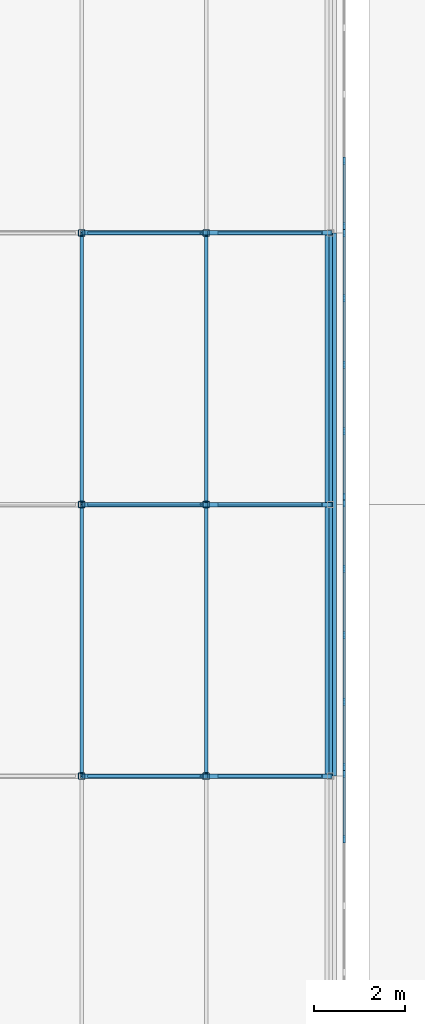
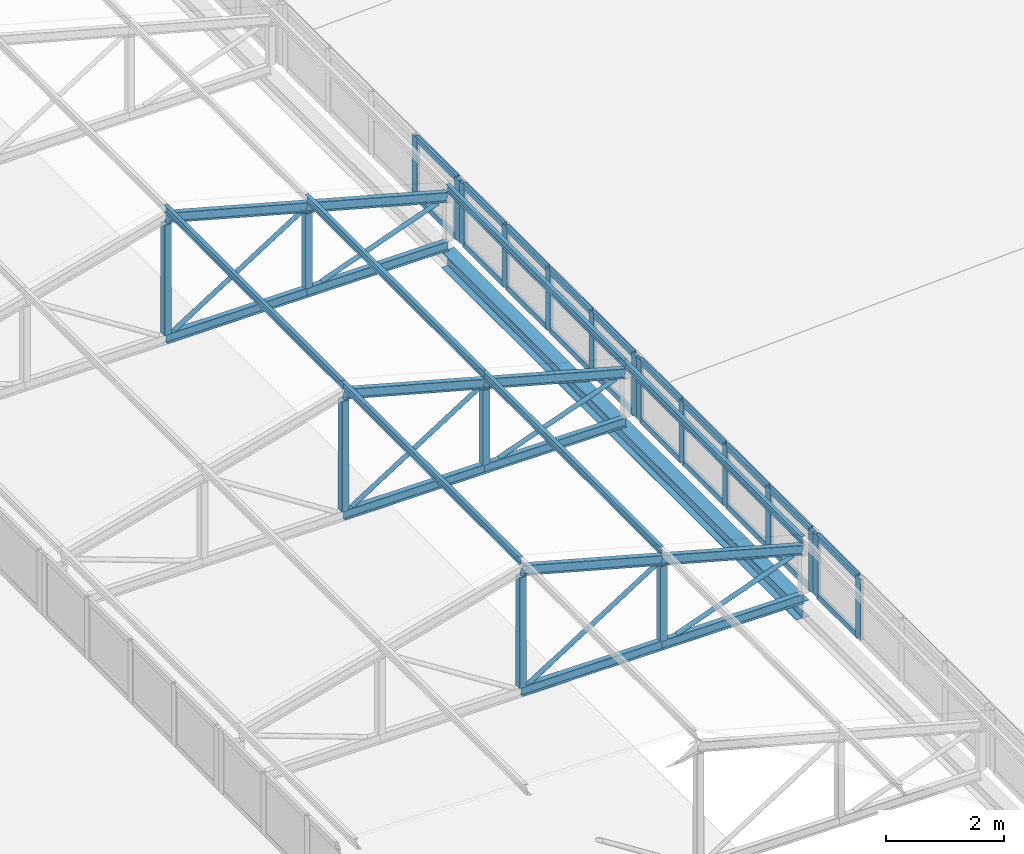
# One storey, part 25 of 94: 64 members, 1 beam, 4 elements without a shape of their own.
"""IFC4 building model written with IfcOpenShell, lengths in metres."""

from ifc_helpers import new_model, si_unit, direction, frame, origin, origin_2d, place, context, subcontext, project, spatial, rectangle, hollow_rectangle, hollow_circle, i_section, extrude, material, layer, layer_set, material_profile, profile_set, type_object, element, aggregate, save


model = new_model("IFC4")

# Units and contexts
model_context = context("Model", 3, precision=1e-05, world=origin(), true_north=direction((0.0, 1.0)))
body_context = subcontext(model_context, "Body", "Model", "MODEL_VIEW")
ifc_project = project(units=[si_unit("LENGTHUNIT", "METRE"), si_unit("AREAUNIT", "SQUARE_METRE"), si_unit("VOLUMEUNIT", "CUBIC_METRE"), si_unit("PLANEANGLEUNIT", "RADIAN"), si_unit("MASSUNIT", "GRAM", prefix="KILO")], contexts=[model_context])

# Site, building, storey
site_placement = place(None, origin())
site = spatial("IfcSite", under=ifc_project, at=site_placement, CompositionType="ELEMENT")
building_placement = place(site_placement, origin())
building = spatial("IfcBuilding", under=site, at=building_placement, Name="Lilac Gate Convention Centre", CompositionType="ELEMENT")
storey_placement = place(building_placement, frame((0.0, 0.0, 21.0)))
storey = spatial("IfcBuildingStorey", under=building, at=storey_placement, Name="L04", CompositionType="ELEMENT", Elevation=21.0)

# Curtain wall, members
ifc_material_1 = material(Name="Aluminium framed double glazing", Category="aluminium")
ifc_layer = layer(ifc_material_1, 0.199951171875)
ifc_layer_set = layer_set([ifc_layer], Name="Aluminium framed double glazing")
curtain_wall_type = type_object("IfcCurtainWallType", Name="Unitised curtain wall 1500", PredefinedType="NOTDEFINED", material=ifc_layer_set)
curtain_wall_1_placement = place(storey_placement, origin())
curtain_wall_1 = element("IfcCurtainWall", 1, at=curtain_wall_1_placement, inside=storey, type_object=curtain_wall_type, Name="Lantern clerestory E 11", PredefinedType="NOTDEFINED")
ifc_material_2 = material(Name="Aluminium alloy 6063", Category="aluminium")
ifc_material_profile_1 = material_profile(ifc_material_2, rectangle(XDim=0.06005859375, YDim=0.159912109375, at=origin_2d()), Name="Curtain wall mullion 60 x 160")
ifc_profile_set_1 = profile_set([ifc_material_profile_1], Name="Aluminium alloy 6063")
member_type_1 = type_object("IfcMemberType", Name="Curtain wall mullion 60 x 160", PredefinedType="MULLION", material=ifc_profile_set_1)
member_1_placement = place(storey_placement, frame((28.89990234375, 94.606201171875, 0.0), z_axis=(0.0, 0.0, 1.0), x_axis=(-1.0, 0.0, 0.0)))
member_1 = element("IfcMember", 2, at=member_1_placement, type_object=member_type_1, Name="CW mullion 4", PredefinedType="MULLION", context=body_context, shape_type="SweptSolid", body=[
    extrude(rectangle(XDim=0.06005859375, YDim=0.159912109375, at=origin_2d()), origin(), (0.0, 0.0, 1.0), 1.272216796875),
])
member_2_placement = place(storey_placement, frame((28.89990234375, 96.044921875, 0.0), z_axis=(0.0, 0.0, 1.0), x_axis=(-1.0, 0.0, 0.0)))
member_2 = element("IfcMember", 3, at=member_2_placement, type_object=member_type_1, Name="CW mullion 5", PredefinedType="MULLION", context=body_context, shape_type="SweptSolid", body=[
    extrude(rectangle(XDim=0.06005859375, YDim=0.159912109375, at=origin_2d()), origin(), (0.0, 0.0, 1.0), 1.272216796875),
])

curtain_wall_2_placement = place(storey_placement, origin())
curtain_wall_2 = element("IfcCurtainWall", 4, at=curtain_wall_2_placement, inside=storey, type_object=curtain_wall_type, Name="Lantern clerestory E 12", PredefinedType="NOTDEFINED")
member_3_placement = place(storey_placement, frame((28.89990234375, 96.205078125, 0.0), z_axis=(0.0, 0.0, 1.0), x_axis=(-1.0, 0.0, 0.0)))
member_3 = element("IfcMember", 5, at=member_3_placement, type_object=member_type_1, Name="CW mullion 1", PredefinedType="MULLION", context=body_context, shape_type="SweptSolid", body=[
    extrude(rectangle(XDim=0.06005859375, YDim=0.159912109375, at=origin_2d()), origin(), (0.0, 0.0, 1.0), 1.272216796875),
])
member_4_placement = place(storey_placement, frame((28.89990234375, 97.643798828125, 0.0), z_axis=(0.0, 0.0, 1.0), x_axis=(-1.0, 0.0, 0.0)))
member_4 = element("IfcMember", 6, at=member_4_placement, type_object=member_type_1, Name="CW mullion 2", PredefinedType="MULLION", context=body_context, shape_type="SweptSolid", body=[
    extrude(rectangle(XDim=0.06005859375, YDim=0.159912109375, at=origin_2d()), origin(), (0.0, 0.0, 1.0), 1.272216796875),
])
member_5_placement = place(storey_placement, frame((28.89990234375, 99.112548828125, 0.0), z_axis=(0.0, 0.0, 1.0), x_axis=(-1.0, 0.0, 0.0)))
member_5 = element("IfcMember", 7, at=member_5_placement, type_object=member_type_1, Name="CW mullion 3", PredefinedType="MULLION", context=body_context, shape_type="SweptSolid", body=[
    extrude(rectangle(XDim=0.06005859375, YDim=0.159912109375, at=origin_2d()), origin(), (0.0, 0.0, 1.0), 1.272216796875),
])
member_6_placement = place(storey_placement, frame((28.89990234375, 100.581298828125, 0.0), z_axis=(0.0, 0.0, 1.0), x_axis=(-1.0, 0.0, 0.0)))
member_6 = element("IfcMember", 8, at=member_6_placement, type_object=member_type_1, Name="CW mullion 4", PredefinedType="MULLION", context=body_context, shape_type="SweptSolid", body=[
    extrude(rectangle(XDim=0.06005859375, YDim=0.159912109375, at=origin_2d()), origin(), (0.0, 0.0, 1.0), 1.272216796875),
])
member_7_placement = place(storey_placement, frame((28.89990234375, 102.02001953125, 0.0), z_axis=(0.0, 0.0, 1.0), x_axis=(-1.0, 0.0, 0.0)))
member_7 = element("IfcMember", 9, at=member_7_placement, type_object=member_type_1, Name="CW mullion 5", PredefinedType="MULLION", context=body_context, shape_type="SweptSolid", body=[
    extrude(rectangle(XDim=0.06005859375, YDim=0.159912109375, at=origin_2d()), origin(), (0.0, 0.0, 1.0), 1.272216796875),
])

curtain_wall_3_placement = place(storey_placement, origin())
curtain_wall_3 = element("IfcCurtainWall", 10, at=curtain_wall_3_placement, inside=storey, type_object=curtain_wall_type, Name="Lantern clerestory E 13", PredefinedType="NOTDEFINED")
member_8_placement = place(storey_placement, frame((28.89990234375, 102.179931640625, 0.0), z_axis=(0.0, 0.0, 1.0), x_axis=(-1.0, 0.0, 0.0)))
member_8 = element("IfcMember", 11, at=member_8_placement, type_object=member_type_1, Name="CW mullion 1", PredefinedType="MULLION", context=body_context, shape_type="SweptSolid", body=[
    extrude(rectangle(XDim=0.06005859375, YDim=0.159912109375, at=origin_2d()), origin(), (0.0, 0.0, 1.0), 1.272216796875),
])
member_9_placement = place(storey_placement, frame((28.89990234375, 103.61865234375, 0.0), z_axis=(0.0, 0.0, 1.0), x_axis=(-1.0, 0.0, 0.0)))
member_9 = element("IfcMember", 12, at=member_9_placement, type_object=member_type_1, Name="CW mullion 2", PredefinedType="MULLION", context=body_context, shape_type="SweptSolid", body=[
    extrude(rectangle(XDim=0.06005859375, YDim=0.159912109375, at=origin_2d()), origin(), (0.0, 0.0, 1.0), 1.272216796875),
])
member_10_placement = place(storey_placement, frame((28.89990234375, 105.08740234375, 0.0), z_axis=(0.0, 0.0, 1.0), x_axis=(-1.0, 0.0, 0.0)))
member_10 = element("IfcMember", 13, at=member_10_placement, type_object=member_type_1, Name="CW mullion 3", PredefinedType="MULLION", context=body_context, shape_type="SweptSolid", body=[
    extrude(rectangle(XDim=0.06005859375, YDim=0.159912109375, at=origin_2d()), origin(), (0.0, 0.0, 1.0), 1.272216796875),
])
member_11_placement = place(storey_placement, frame((28.89990234375, 106.55615234375, 0.0), z_axis=(0.0, 0.0, 1.0), x_axis=(-1.0, 0.0, 0.0)))
member_11 = element("IfcMember", 14, at=member_11_placement, type_object=member_type_1, Name="CW mullion 4", PredefinedType="MULLION", context=body_context, shape_type="SweptSolid", body=[
    extrude(rectangle(XDim=0.06005859375, YDim=0.159912109375, at=origin_2d()), origin(), (0.0, 0.0, 1.0), 1.272216796875),
])
member_12_placement = place(storey_placement, frame((28.89990234375, 107.994873046875, 0.0), z_axis=(0.0, 0.0, 1.0), x_axis=(-1.0, 0.0, 0.0)))
member_12 = element("IfcMember", 15, at=member_12_placement, type_object=member_type_1, Name="CW mullion 5", PredefinedType="MULLION", context=body_context, shape_type="SweptSolid", body=[
    extrude(rectangle(XDim=0.06005859375, YDim=0.159912109375, at=origin_2d()), origin(), (0.0, 0.0, 1.0), 1.272216796875),
])

curtain_wall_4_placement = place(storey_placement, origin())
curtain_wall_4 = element("IfcCurtainWall", 16, at=curtain_wall_4_placement, inside=storey, type_object=curtain_wall_type, Name="Lantern clerestory E 14", PredefinedType="NOTDEFINED")
member_13_placement = place(storey_placement, frame((28.89990234375, 108.155029296875, 0.0), z_axis=(0.0, 0.0, 1.0), x_axis=(-1.0, 0.0, 0.0)))
member_13 = element("IfcMember", 17, at=member_13_placement, type_object=member_type_1, Name="CW mullion 1", PredefinedType="MULLION", context=body_context, shape_type="SweptSolid", body=[
    extrude(rectangle(XDim=0.06005859375, YDim=0.159912109375, at=origin_2d()), origin(), (0.0, 0.0, 1.0), 1.272216796875),
])
member_14_placement = place(storey_placement, frame((28.89990234375, 109.59375, 0.0), z_axis=(0.0, 0.0, 1.0), x_axis=(-1.0, 0.0, 0.0)))
member_14 = element("IfcMember", 18, at=member_14_placement, type_object=member_type_1, Name="CW mullion 2", PredefinedType="MULLION", context=body_context, shape_type="SweptSolid", body=[
    extrude(rectangle(XDim=0.06005859375, YDim=0.159912109375, at=origin_2d()), origin(), (0.0, 0.0, 1.0), 1.272216796875),
])

# Member
ifc_material_profile_2 = material_profile(ifc_material_2, rectangle(XDim=0.06005859375, YDim=0.1201171875, at=origin_2d()), Name="Curtain wall transom 60 x 120")
ifc_profile_set_2 = profile_set([ifc_material_profile_2], Name="Aluminium alloy 6063")
member_type_2 = type_object("IfcMemberType", Name="Curtain wall transom 60 x 120", PredefinedType="USERDEFINED", material=ifc_profile_set_2)
member_15_placement = place(storey_placement, frame((28.89990234375, 94.63623046875, 0.030029296875), z_axis=(0.0, 1.0, 0.0), x_axis=(-1.0, 0.0, 0.0)))
member_15 = element("IfcMember", 19, at=member_15_placement, type_object=member_type_2, Name="CW transom 4.1", ObjectType="TRANSOM", PredefinedType="USERDEFINED", context=body_context, shape_type="SweptSolid", body=[
    extrude(rectangle(XDim=0.06005859375, YDim=0.1201171875, at=origin_2d()), origin(), (0.0, 0.0, 1.0), 1.378662109375),
])

member_16_placement = place(storey_placement, frame((28.89990234375, 94.63623046875, 1.2421875), z_axis=(0.0, 1.0, 0.0), x_axis=(-1.0, 0.0, 0.0)))
member_16 = element("IfcMember", 20, at=member_16_placement, type_object=member_type_2, Name="CW transom 4.2", ObjectType="TRANSOM", PredefinedType="USERDEFINED", context=body_context, shape_type="SweptSolid", body=[
    extrude(rectangle(XDim=0.06005859375, YDim=0.1201171875, at=origin_2d()), origin(), (0.0, 0.0, 1.0), 1.378662109375),
])

aggregate(curtain_wall_1, [member_1, member_2, member_15, member_16])

member_17_placement = place(storey_placement, frame((28.89990234375, 96.235107421875, 0.030029296875), z_axis=(0.0, 1.0, 0.0), x_axis=(-1.0, 0.0, 0.0)))
member_17 = element("IfcMember", 21, at=member_17_placement, type_object=member_type_2, Name="CW transom 1.1", ObjectType="TRANSOM", PredefinedType="USERDEFINED", context=body_context, shape_type="SweptSolid", body=[
    extrude(rectangle(XDim=0.06005859375, YDim=0.1201171875, at=origin_2d()), origin(), (0.0, 0.0, 1.0), 1.378662109375),
])

member_18_placement = place(storey_placement, frame((28.89990234375, 96.235107421875, 1.2421875), z_axis=(0.0, 1.0, 0.0), x_axis=(-1.0, 0.0, 0.0)))
member_18 = element("IfcMember", 22, at=member_18_placement, type_object=member_type_2, Name="CW transom 1.2", ObjectType="TRANSOM", PredefinedType="USERDEFINED", context=body_context, shape_type="SweptSolid", body=[
    extrude(rectangle(XDim=0.06005859375, YDim=0.1201171875, at=origin_2d()), origin(), (0.0, 0.0, 1.0), 1.378662109375),
])

member_19_placement = place(storey_placement, frame((28.89990234375, 97.673828125, 0.030029296875), z_axis=(0.0, 1.0, 0.0), x_axis=(-1.0, 0.0, 0.0)))
member_19 = element("IfcMember", 23, at=member_19_placement, type_object=member_type_2, Name="CW transom 2.1", ObjectType="TRANSOM", PredefinedType="USERDEFINED", context=body_context, shape_type="SweptSolid", body=[
    extrude(rectangle(XDim=0.06005859375, YDim=0.1201171875, at=origin_2d()), origin(), (0.0, 0.0, 1.0), 1.40869140625),
])

member_20_placement = place(storey_placement, frame((28.89990234375, 97.673828125, 1.2421875), z_axis=(0.0, 1.0, 0.0), x_axis=(-1.0, 0.0, 0.0)))
member_20 = element("IfcMember", 24, at=member_20_placement, type_object=member_type_2, Name="CW transom 2.2", ObjectType="TRANSOM", PredefinedType="USERDEFINED", context=body_context, shape_type="SweptSolid", body=[
    extrude(rectangle(XDim=0.06005859375, YDim=0.1201171875, at=origin_2d()), origin(), (0.0, 0.0, 1.0), 1.40869140625),
])

member_21_placement = place(storey_placement, frame((28.89990234375, 99.142578125, 0.030029296875), z_axis=(0.0, 1.0, 0.0), x_axis=(-1.0, 0.0, 0.0)))
member_21 = element("IfcMember", 25, at=member_21_placement, type_object=member_type_2, Name="CW transom 3.1", ObjectType="TRANSOM", PredefinedType="USERDEFINED", context=body_context, shape_type="SweptSolid", body=[
    extrude(rectangle(XDim=0.06005859375, YDim=0.1201171875, at=origin_2d()), origin(), (0.0, 0.0, 1.0), 1.40869140625),
])

member_22_placement = place(storey_placement, frame((28.89990234375, 99.142578125, 1.2421875), z_axis=(0.0, 1.0, 0.0), x_axis=(-1.0, 0.0, 0.0)))
member_22 = element("IfcMember", 26, at=member_22_placement, type_object=member_type_2, Name="CW transom 3.2", ObjectType="TRANSOM", PredefinedType="USERDEFINED", context=body_context, shape_type="SweptSolid", body=[
    extrude(rectangle(XDim=0.06005859375, YDim=0.1201171875, at=origin_2d()), origin(), (0.0, 0.0, 1.0), 1.40869140625),
])

member_23_placement = place(storey_placement, frame((28.89990234375, 100.611328125, 0.030029296875), z_axis=(0.0, 1.0, 0.0), x_axis=(-1.0, 0.0, 0.0)))
member_23 = element("IfcMember", 27, at=member_23_placement, type_object=member_type_2, Name="CW transom 4.1", ObjectType="TRANSOM", PredefinedType="USERDEFINED", context=body_context, shape_type="SweptSolid", body=[
    extrude(rectangle(XDim=0.06005859375, YDim=0.1201171875, at=origin_2d()), origin(), (0.0, 0.0, 1.0), 1.378662109375),
])

member_24_placement = place(storey_placement, frame((28.89990234375, 100.611328125, 1.2421875), z_axis=(0.0, 1.0, 0.0), x_axis=(-1.0, 0.0, 0.0)))
member_24 = element("IfcMember", 28, at=member_24_placement, type_object=member_type_2, Name="CW transom 4.2", ObjectType="TRANSOM", PredefinedType="USERDEFINED", context=body_context, shape_type="SweptSolid", body=[
    extrude(rectangle(XDim=0.06005859375, YDim=0.1201171875, at=origin_2d()), origin(), (0.0, 0.0, 1.0), 1.378662109375),
])

aggregate(curtain_wall_2, [member_3, member_4, member_5, member_6, member_7, member_17, member_18, member_19, member_20, member_21, member_22, member_23, member_24])

member_25_placement = place(storey_placement, frame((28.89990234375, 102.2099609375, 0.030029296875), z_axis=(0.0, 1.0, 0.0), x_axis=(-1.0, 0.0, 0.0)))
member_25 = element("IfcMember", 29, at=member_25_placement, type_object=member_type_2, Name="CW transom 1.1", ObjectType="TRANSOM", PredefinedType="USERDEFINED", context=body_context, shape_type="SweptSolid", body=[
    extrude(rectangle(XDim=0.06005859375, YDim=0.1201171875, at=origin_2d()), origin(), (0.0, 0.0, 1.0), 1.378662109375),
])

member_26_placement = place(storey_placement, frame((28.89990234375, 102.2099609375, 1.2421875), z_axis=(0.0, 1.0, 0.0), x_axis=(-1.0, 0.0, 0.0)))
member_26 = element("IfcMember", 30, at=member_26_placement, type_object=member_type_2, Name="CW transom 1.2", ObjectType="TRANSOM", PredefinedType="USERDEFINED", context=body_context, shape_type="SweptSolid", body=[
    extrude(rectangle(XDim=0.06005859375, YDim=0.1201171875, at=origin_2d()), origin(), (0.0, 0.0, 1.0), 1.378662109375),
])

member_27_placement = place(storey_placement, frame((28.89990234375, 103.648681640625, 0.030029296875), z_axis=(0.0, 1.0, 0.0), x_axis=(-1.0, 0.0, 0.0)))
member_27 = element("IfcMember", 31, at=member_27_placement, type_object=member_type_2, Name="CW transom 2.1", ObjectType="TRANSOM", PredefinedType="USERDEFINED", context=body_context, shape_type="SweptSolid", body=[
    extrude(rectangle(XDim=0.06005859375, YDim=0.1201171875, at=origin_2d()), origin(), (0.0, 0.0, 1.0), 1.40869140625),
])

member_28_placement = place(storey_placement, frame((28.89990234375, 103.648681640625, 1.2421875), z_axis=(0.0, 1.0, 0.0), x_axis=(-1.0, 0.0, 0.0)))
member_28 = element("IfcMember", 32, at=member_28_placement, type_object=member_type_2, Name="CW transom 2.2", ObjectType="TRANSOM", PredefinedType="USERDEFINED", context=body_context, shape_type="SweptSolid", body=[
    extrude(rectangle(XDim=0.06005859375, YDim=0.1201171875, at=origin_2d()), origin(), (0.0, 0.0, 1.0), 1.40869140625),
])

member_29_placement = place(storey_placement, frame((28.89990234375, 105.117431640625, 0.030029296875), z_axis=(0.0, 1.0, 0.0), x_axis=(-1.0, 0.0, 0.0)))
member_29 = element("IfcMember", 33, at=member_29_placement, type_object=member_type_2, Name="CW transom 3.1", ObjectType="TRANSOM", PredefinedType="USERDEFINED", context=body_context, shape_type="SweptSolid", body=[
    extrude(rectangle(XDim=0.06005859375, YDim=0.1201171875, at=origin_2d()), origin(), (0.0, 0.0, 1.0), 1.40869140625),
])

member_30_placement = place(storey_placement, frame((28.89990234375, 105.117431640625, 1.2421875), z_axis=(0.0, 1.0, 0.0), x_axis=(-1.0, 0.0, 0.0)))
member_30 = element("IfcMember", 34, at=member_30_placement, type_object=member_type_2, Name="CW transom 3.2", ObjectType="TRANSOM", PredefinedType="USERDEFINED", context=body_context, shape_type="SweptSolid", body=[
    extrude(rectangle(XDim=0.06005859375, YDim=0.1201171875, at=origin_2d()), origin(), (0.0, 0.0, 1.0), 1.40869140625),
])

member_31_placement = place(storey_placement, frame((28.89990234375, 106.586181640625, 0.030029296875), z_axis=(0.0, 1.0, 0.0), x_axis=(-1.0, 0.0, 0.0)))
member_31 = element("IfcMember", 35, at=member_31_placement, type_object=member_type_2, Name="CW transom 4.1", ObjectType="TRANSOM", PredefinedType="USERDEFINED", context=body_context, shape_type="SweptSolid", body=[
    extrude(rectangle(XDim=0.06005859375, YDim=0.1201171875, at=origin_2d()), origin(), (0.0, 0.0, 1.0), 1.378662109375),
])

member_32_placement = place(storey_placement, frame((28.89990234375, 106.586181640625, 1.2421875), z_axis=(0.0, 1.0, 0.0), x_axis=(-1.0, 0.0, 0.0)))
member_32 = element("IfcMember", 36, at=member_32_placement, type_object=member_type_2, Name="CW transom 4.2", ObjectType="TRANSOM", PredefinedType="USERDEFINED", context=body_context, shape_type="SweptSolid", body=[
    extrude(rectangle(XDim=0.06005859375, YDim=0.1201171875, at=origin_2d()), origin(), (0.0, 0.0, 1.0), 1.378662109375),
])

aggregate(curtain_wall_3, [member_8, member_9, member_10, member_11, member_12, member_25, member_26, member_27, member_28, member_29, member_30, member_31, member_32])

member_33_placement = place(storey_placement, frame((28.89990234375, 108.18505859375, 0.030029296875), z_axis=(0.0, 1.0, 0.0), x_axis=(-1.0, 0.0, 0.0)))
member_33 = element("IfcMember", 37, at=member_33_placement, type_object=member_type_2, Name="CW transom 1.1", ObjectType="TRANSOM", PredefinedType="USERDEFINED", context=body_context, shape_type="SweptSolid", body=[
    extrude(rectangle(XDim=0.06005859375, YDim=0.1201171875, at=origin_2d()), origin(), (0.0, 0.0, 1.0), 1.378662109375),
])

member_34_placement = place(storey_placement, frame((28.89990234375, 108.18505859375, 1.2421875), z_axis=(0.0, 1.0, 0.0), x_axis=(-1.0, 0.0, 0.0)))
member_34 = element("IfcMember", 38, at=member_34_placement, type_object=member_type_2, Name="CW transom 1.2", ObjectType="TRANSOM", PredefinedType="USERDEFINED", context=body_context, shape_type="SweptSolid", body=[
    extrude(rectangle(XDim=0.06005859375, YDim=0.1201171875, at=origin_2d()), origin(), (0.0, 0.0, 1.0), 1.378662109375),
])

aggregate(curtain_wall_4, [member_13, member_14, member_33, member_34])

# Members
ifc_material_3 = material(Name="Steel Q355B", Category="steel")
ifc_material_profile_3 = material_profile(ifc_material_3, i_section(OverallWidth=0.10009765625, OverallDepth=0.199951171875, WebThickness=0.005615234375, FlangeThickness=0.008056640625, FilletRadius=0.008056640625, at=origin_2d()), Name="HN200x100x5.5x8")
ifc_profile_set_3 = profile_set([ifc_material_profile_3], Name="Steel Q355B")
member_type_3 = type_object("IfcMemberType", Name="Lantern bottom chord HN200x100x5.5x8", PredefinedType="CHORD", material=ifc_profile_set_3)
for number, where, z_axis, x_axis, name in (
    (39, (23.10009765625, 96.0, 0.10009765625), (1.0, 0.0, 0.0), (0.0, 1.0, 0.0), "LB1 lantern truss 12 bottom chord 3"),
    (40, (25.85009765625, 96.0, 0.10009765625), (1.0, 0.0, 0.0), (0.0, 1.0, 0.0), "LB1 lantern truss 12 bottom chord 4"),
    (41, (23.10009765625, 102.0, 0.10009765625), (1.0, 0.0, 0.0), (0.0, 1.0, 0.0), "LB1 lantern truss 13 bottom chord 3"),
    (42, (25.85009765625, 102.0, 0.10009765625), (1.0, 0.0, 0.0), (0.0, 1.0, 0.0), "LB1 lantern truss 13 bottom chord 4"),
    (43, (23.10009765625, 108.0, 0.10009765625), (1.0, 0.0, 0.0), (0.0, 1.0, 0.0), "LB1 lantern truss 14 bottom chord 3"),
    (44, (25.85009765625, 108.0, 0.10009765625), (1.0, 0.0, 0.0), (0.0, 1.0, 0.0), "LB1 lantern truss 14 bottom chord 4"),
):
    element("IfcMember", number, at=place(storey_placement, frame(where, z_axis=z_axis, x_axis=x_axis)), inside=storey, type_object=member_type_3, Name=name, PredefinedType="CHORD", context=body_context, shape_type="SweptSolid", body=[
        extrude(i_section(OverallWidth=0.10009765625, OverallDepth=0.199951171875, WebThickness=0.005615234375, FlangeThickness=0.008056640625, FilletRadius=0.008056640625, at=origin_2d()), origin(), (0.0, 0.0, 1.0), 2.75),
    ])
ifc_material_profile_4 = material_profile(ifc_material_3, hollow_circle(Radius=0.04443359375, WallThickness=0.0048828125, at=origin_2d()), Name="CHS88.9x5")
ifc_profile_set_4 = profile_set([ifc_material_profile_4], Name="Steel Q355B")
member_type_4 = type_object("IfcMemberType", Name="Lantern diagonal CHS88.9x5", PredefinedType="BRACE", material=ifc_profile_set_4)
member_35_placement = place(storey_placement, frame((25.74169921875, 96.0, 1.781005859375), z_axis=(-0.843671728148, 0.0, -0.536859399773), x_axis=(0.0, -1.0, 0.0)))
element("IfcMember", 45, at=member_35_placement, inside=storey, type_object=member_type_4, Name="LW1 lantern truss 12 diagonal 3", PredefinedType="BRACE", context=body_context, shape_type="SweptSolid", body=[
    extrude(hollow_circle(Radius=0.04443359375, WallThickness=0.0048828125, at=origin_2d()), origin(), (0.0, 0.0, 1.0), 2.945068359375),
])
member_36_placement = place(storey_placement, frame((28.410400390625, 96.0, 1.031005859375), z_axis=(-0.939793423488, 0.0, -0.341743063087), x_axis=(0.0, -1.0, 0.0)))
element("IfcMember", 46, at=member_36_placement, inside=storey, type_object=member_type_4, Name="LW1 lantern truss 12 diagonal 4", PredefinedType="BRACE", context=body_context, shape_type="SweptSolid", body=[
    extrude(hollow_circle(Radius=0.04443359375, WallThickness=0.0048828125, at=origin_2d()), origin(), (0.0, 0.0, 1.0), 2.431884765625),
])
member_37_placement = place(storey_placement, frame((25.74169921875, 102.0, 1.781005859375), z_axis=(-0.843671728148, 0.0, -0.536859399773), x_axis=(0.0, -1.0, 0.0)))
element("IfcMember", 47, at=member_37_placement, inside=storey, type_object=member_type_4, Name="LW1 lantern truss 13 diagonal 3", PredefinedType="BRACE", context=body_context, shape_type="SweptSolid", body=[
    extrude(hollow_circle(Radius=0.04443359375, WallThickness=0.0048828125, at=origin_2d()), origin(), (0.0, 0.0, 1.0), 2.945068359375),
])
member_38_placement = place(storey_placement, frame((28.410400390625, 102.0, 1.031005859375), z_axis=(-0.939793423488, 0.0, -0.341743063087), x_axis=(0.0, -1.0, 0.0)))
element("IfcMember", 48, at=member_38_placement, inside=storey, type_object=member_type_4, Name="LW1 lantern truss 13 diagonal 4", PredefinedType="BRACE", context=body_context, shape_type="SweptSolid", body=[
    extrude(hollow_circle(Radius=0.04443359375, WallThickness=0.0048828125, at=origin_2d()), origin(), (0.0, 0.0, 1.0), 2.431884765625),
])
member_39_placement = place(storey_placement, frame((25.74169921875, 108.0, 1.781005859375), z_axis=(-0.843671728148, 0.0, -0.536859399773), x_axis=(0.0, -1.0, 0.0)))
element("IfcMember", 49, at=member_39_placement, inside=storey, type_object=member_type_4, Name="LW1 lantern truss 14 diagonal 3", PredefinedType="BRACE", context=body_context, shape_type="SweptSolid", body=[
    extrude(hollow_circle(Radius=0.04443359375, WallThickness=0.0048828125, at=origin_2d()), origin(), (0.0, 0.0, 1.0), 2.945068359375),
])
member_40_placement = place(storey_placement, frame((28.410400390625, 108.0, 1.031005859375), z_axis=(-0.939793423488, 0.0, -0.341743063087), x_axis=(0.0, -1.0, 0.0)))
element("IfcMember", 50, at=member_40_placement, inside=storey, type_object=member_type_4, Name="LW1 lantern truss 14 diagonal 4", PredefinedType="BRACE", context=body_context, shape_type="SweptSolid", body=[
    extrude(hollow_circle(Radius=0.04443359375, WallThickness=0.0048828125, at=origin_2d()), origin(), (0.0, 0.0, 1.0), 2.431884765625),
])
ifc_material_profile_5 = material_profile(ifc_material_3, hollow_rectangle(XDim=0.139892578125, YDim=0.139892578125, WallThickness=0.0048828125, InnerFilletRadius=0.0048828125, OuterFilletRadius=0.010009765625, at=origin_2d()), Name="SHS140x140x5")
ifc_profile_set_5 = profile_set([ifc_material_profile_5], Name="Steel Q355B")
member_type_5 = type_object("IfcMemberType", Name="Lantern post SHS140x140x5", PredefinedType="STRUT", material=ifc_profile_set_5)
member_41_placement = place(storey_placement, frame((23.10009765625, 96.0, 0.199951171875), z_axis=(0.0, 0.0, 1.0), x_axis=(1.0, 0.0, 0.0)))
element("IfcMember", 51, at=member_41_placement, inside=storey, type_object=member_type_5, Name="LV1 lantern truss 12 post 3", PredefinedType="STRUT", context=body_context, shape_type="SweptSolid", body=[
    extrude(hollow_rectangle(XDim=0.139892578125, YDim=0.139892578125, WallThickness=0.0048828125, InnerFilletRadius=0.0048828125, OuterFilletRadius=0.010009765625, at=origin_2d()), origin(), (0.0, 0.0, 1.0), 2.277099609375),
])
member_42_placement = place(storey_placement, frame((25.85009765625, 96.0, 0.199951171875), z_axis=(0.0, 0.0, 1.0), x_axis=(1.0, 0.0, 0.0)))
element("IfcMember", 52, at=member_42_placement, inside=storey, type_object=member_type_5, Name="LV1 lantern truss 12 post 4", PredefinedType="STRUT", context=body_context, shape_type="SweptSolid", body=[
    extrude(hollow_rectangle(XDim=0.139892578125, YDim=0.139892578125, WallThickness=0.0048828125, InnerFilletRadius=0.0048828125, OuterFilletRadius=0.010009765625, at=origin_2d()), origin(), (0.0, 0.0, 1.0), 1.546142578125),
])
member_43_placement = place(storey_placement, frame((23.10009765625, 102.0, 0.199951171875), z_axis=(0.0, 0.0, 1.0), x_axis=(1.0, 0.0, 0.0)))
element("IfcMember", 53, at=member_43_placement, inside=storey, type_object=member_type_5, Name="LV1 lantern truss 13 post 3", PredefinedType="STRUT", context=body_context, shape_type="SweptSolid", body=[
    extrude(hollow_rectangle(XDim=0.139892578125, YDim=0.139892578125, WallThickness=0.0048828125, InnerFilletRadius=0.0048828125, OuterFilletRadius=0.010009765625, at=origin_2d()), origin(), (0.0, 0.0, 1.0), 2.277099609375),
])
member_44_placement = place(storey_placement, frame((25.85009765625, 102.0, 0.199951171875), z_axis=(0.0, 0.0, 1.0), x_axis=(1.0, 0.0, 0.0)))
element("IfcMember", 54, at=member_44_placement, inside=storey, type_object=member_type_5, Name="LV1 lantern truss 13 post 4", PredefinedType="STRUT", context=body_context, shape_type="SweptSolid", body=[
    extrude(hollow_rectangle(XDim=0.139892578125, YDim=0.139892578125, WallThickness=0.0048828125, InnerFilletRadius=0.0048828125, OuterFilletRadius=0.010009765625, at=origin_2d()), origin(), (0.0, 0.0, 1.0), 1.546142578125),
])
member_45_placement = place(storey_placement, frame((23.10009765625, 108.0, 0.199951171875), z_axis=(0.0, 0.0, 1.0), x_axis=(1.0, 0.0, 0.0)))
element("IfcMember", 55, at=member_45_placement, inside=storey, type_object=member_type_5, Name="LV1 lantern truss 14 post 3", PredefinedType="STRUT", context=body_context, shape_type="SweptSolid", body=[
    extrude(hollow_rectangle(XDim=0.139892578125, YDim=0.139892578125, WallThickness=0.0048828125, InnerFilletRadius=0.0048828125, OuterFilletRadius=0.010009765625, at=origin_2d()), origin(), (0.0, 0.0, 1.0), 2.277099609375),
])
member_46_placement = place(storey_placement, frame((25.85009765625, 108.0, 0.199951171875), z_axis=(0.0, 0.0, 1.0), x_axis=(1.0, 0.0, 0.0)))
element("IfcMember", 56, at=member_46_placement, inside=storey, type_object=member_type_5, Name="LV1 lantern truss 14 post 4", PredefinedType="STRUT", context=body_context, shape_type="SweptSolid", body=[
    extrude(hollow_rectangle(XDim=0.139892578125, YDim=0.139892578125, WallThickness=0.0048828125, InnerFilletRadius=0.0048828125, OuterFilletRadius=0.010009765625, at=origin_2d()), origin(), (0.0, 0.0, 1.0), 1.546142578125),
])
ifc_material_profile_6 = material_profile(ifc_material_3, i_section(OverallWidth=0.074951171875, OverallDepth=0.14990234375, WebThickness=0.0048828125, FlangeThickness=0.007080078125, FilletRadius=0.008056640625, at=origin_2d()), Name="HN150x75x5x7")
ifc_profile_set_6 = profile_set([ifc_material_profile_6], Name="Steel Q355B")
member_type_6 = type_object("IfcMemberType", Name="Lantern purlin HN150x75x5x7", PredefinedType="PURLIN", material=ifc_profile_set_6)
for number, where, z_axis, x_axis, name in (
    (57, (23.10009765625, 96.0, 2.779052734375), (0.0, 1.0, 0.0), (-1.0, 0.0, 0.0), "LP1 lantern purlin bay 12 line 3"),
    (58, (23.10009765625, 102.0, 2.779052734375), (0.0, 1.0, 0.0), (-1.0, 0.0, 0.0), "LP1 lantern purlin bay 13 line 3"),
    (59, (25.85009765625, 96.0, 2.029052734375), (0.0, 1.0, 0.0), (-1.0, 0.0, 0.0), "LP1 lantern purlin bay 12 line 4"),
    (60, (25.85009765625, 102.0, 2.029052734375), (0.0, 1.0, 0.0), (-1.0, 0.0, 0.0), "LP1 lantern purlin bay 13 line 4"),
    (61, (28.60009765625, 96.0, 1.279052734375), (0.0, 1.0, 0.0), (-1.0, 0.0, 0.0), "LP1 lantern purlin bay 12 line 5"),
    (62, (28.60009765625, 102.0, 1.279052734375), (0.0, 1.0, 0.0), (-1.0, 0.0, 0.0), "LP1 lantern purlin bay 13 line 5"),
):
    element("IfcMember", number, at=place(storey_placement, frame(where, z_axis=z_axis, x_axis=x_axis)), inside=storey, type_object=member_type_6, Name=name, PredefinedType="PURLIN", context=body_context, shape_type="SweptSolid", body=[
        extrude(i_section(OverallWidth=0.074951171875, OverallDepth=0.14990234375, WebThickness=0.0048828125, FlangeThickness=0.007080078125, FilletRadius=0.008056640625, at=origin_2d()), origin(), (0.0, 0.0, 1.0), 6.0),
    ])
ifc_material_profile_7 = material_profile(ifc_material_3, i_section(OverallWidth=0.10009765625, OverallDepth=0.199951171875, WebThickness=0.005615234375, FlangeThickness=0.008056640625, FilletRadius=0.008056640625, at=origin_2d()), Name="HN200x100x5.5x8")
ifc_profile_set_7 = profile_set([ifc_material_profile_7], Name="Steel Q355B")
member_type_7 = type_object("IfcMemberType", Name="Lantern top chord HN200x100x5.5x8", PredefinedType="CHORD", material=ifc_profile_set_7)
for number, where, z_axis, x_axis, name in (
    (63, (23.10009765625, 96.0, 2.60009765625), (0.964763821238, 0.0, -0.263117405792), (0.0, 1.0, 0.0), "LT1 lantern truss 12 top chord 3"),
    (64, (25.85009765625, 96.0, 1.85009765625), (0.964763821238, 0.0, -0.263117405792), (0.0, 1.0, 0.0), "LT1 lantern truss 12 top chord 4"),
    (65, (23.10009765625, 102.0, 2.60009765625), (0.964763821238, 0.0, -0.263117405792), (0.0, 1.0, 0.0), "LT1 lantern truss 13 top chord 3"),
    (66, (25.85009765625, 102.0, 1.85009765625), (0.964763821238, 0.0, -0.263117405792), (0.0, 1.0, 0.0), "LT1 lantern truss 13 top chord 4"),
    (67, (23.10009765625, 108.0, 2.60009765625), (0.964763821238, 0.0, -0.263117405792), (0.0, 1.0, 0.0), "LT1 lantern truss 14 top chord 3"),
    (68, (25.85009765625, 108.0, 1.85009765625), (0.964763821238, 0.0, -0.263117405792), (0.0, 1.0, 0.0), "LT1 lantern truss 14 top chord 4"),
):
    element("IfcMember", number, at=place(storey_placement, frame(where, z_axis=z_axis, x_axis=x_axis)), inside=storey, type_object=member_type_7, Name=name, PredefinedType="CHORD", context=body_context, shape_type="SweptSolid", body=[
        extrude(i_section(OverallWidth=0.10009765625, OverallDepth=0.199951171875, WebThickness=0.005615234375, FlangeThickness=0.008056640625, FilletRadius=0.008056640625, at=origin_2d()), origin(), (0.0, 0.0, 1.0), 2.850341796875),
    ])

# Beam
ifc_material_profile_8 = material_profile(ifc_material_3, i_section(OverallWidth=0.25, OverallDepth=0.340087890625, WebThickness=0.009033203125, FlangeThickness=0.013916015625, FilletRadius=0.012939453125, at=origin_2d()), Name="HM340x250x9x14")
ifc_profile_set_8 = profile_set([ifc_material_profile_8], Name="Steel Q355B")
beam_type = type_object("IfcBeamType", Name="Steel edge beam HM340x250x9x14", PredefinedType="BEAM", material=ifc_profile_set_8)
beam_placement = place(storey_placement, frame((28.60009765625, 96.0, -0.169921875), z_axis=(0.0, 1.0, 0.0), x_axis=(-1.0, 0.0, 0.0)))
element("IfcBeam", 69, at=beam_placement, inside=storey, type_object=beam_type, Name="LE1 lantern edge beam 7", PredefinedType="BEAM", context=body_context, shape_type="SweptSolid", body=[
    extrude(i_section(OverallWidth=0.25, OverallDepth=0.340087890625, WebThickness=0.009033203125, FlangeThickness=0.013916015625, FilletRadius=0.012939453125, at=origin_2d()), origin(), (0.0, 0.0, 1.0), 12.0),
])

save(model, "model.ifc")
